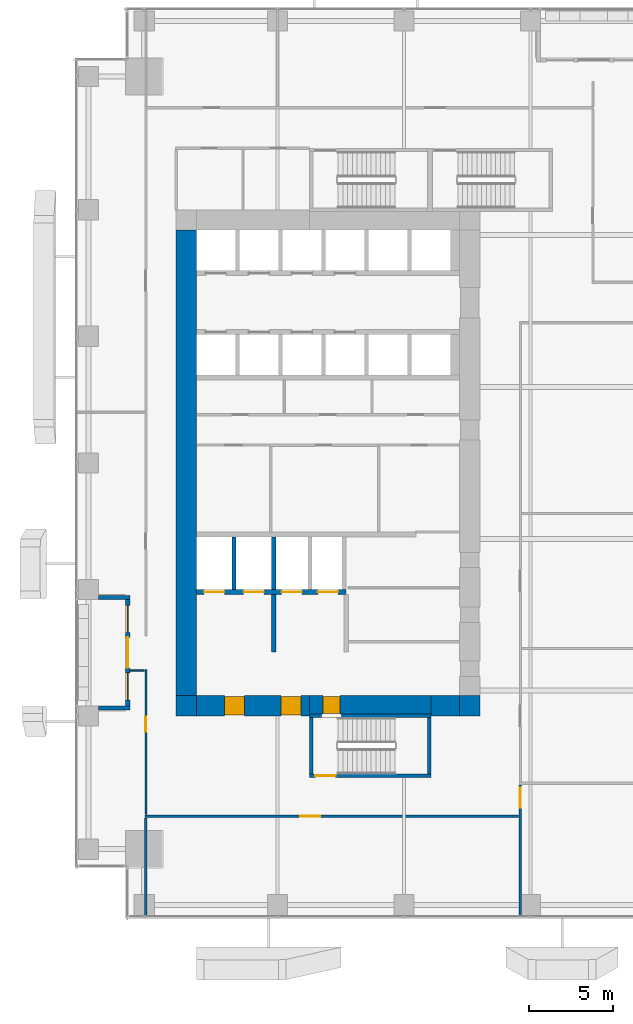
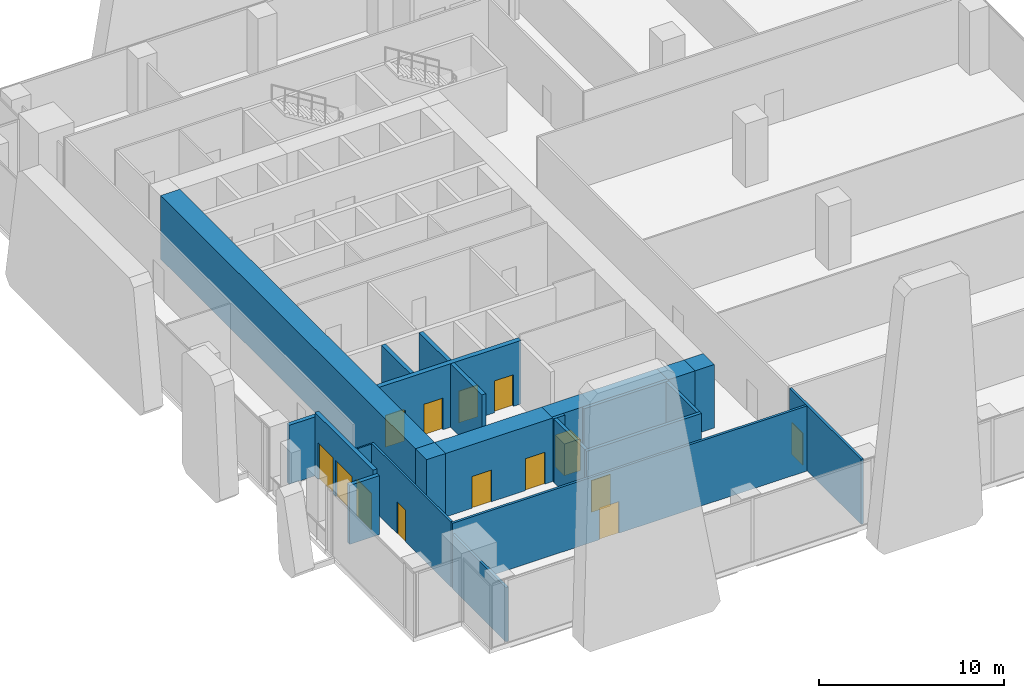
# One storey, part 27 of 34: 23 walls, 12 doors, 2 windows, 14 openings.
"""IFC4 building model written with IfcOpenShell, lengths in metres."""

import ifcopenshell
import ifcopenshell.guid

model = None  # the IFC model being written
_history = None  # IfcOwnerHistory: only IFC2X3 demands one
_inside = {}  # id of a spatial element -> (the spatial element, [elements in it])
_under = {}  # id of a project, library or spatial element -> (it, [spatial elements below it])
_declared = {}  # id of a project -> (the project, [libraries it declares])
_typed = {}  # id of a type object -> (the type object, [elements of that type])
_made_of = {}  # id of a material, layer set ... -> (it, [elements and type objects made of it])


def new_model(schema):
    """Start an empty IFC model of exactly this schema.

    Asked for "IFC4X3", IfcOpenShell would pick the latest addendum, in which some entities
    have other attributes; the version numbers below select the first issue.
    IFC2X3 requires an IfcOwnerHistory on every rooted entity: one is made here for all.
    """
    global model, _history
    if schema == "IFC4X3":
        model = ifcopenshell.file(schema_version=(4, 3, 0, 0))
    else:
        model = ifcopenshell.file(schema=schema)
    _inside.clear()
    _under.clear()
    _declared.clear()
    _typed.clear()
    _made_of.clear()
    _history = None
    if model.schema == "IFC2X3":
        org = make("IfcOrganization", Name="unknown")
        user = make(
            "IfcPersonAndOrganization",
            ThePerson=make("IfcPerson", FamilyName="unknown"),
            TheOrganization=org,
        )
        app = make(
            "IfcApplication",
            ApplicationDeveloper=org,
            Version="unknown",
            ApplicationFullName="unknown",
            ApplicationIdentifier="unknown",
        )
        _history = make(
            "IfcOwnerHistory",
            OwningUser=user,
            OwningApplication=app,
            ChangeAction="ADDED",
            CreationDate=0,
        )
    return model


def make(cls, **values):
    """One entity of the class cls with the attributes given. An attribute that is None is left unset."""
    return model.create_entity(
        cls, **{name: value for name, value in values.items() if value is not None}
    )


def rooted(cls, **values):
    """An entity with a GlobalId (a new one), such as an element, a storey or a relation."""
    return make(cls, GlobalId=ifcopenshell.guid.new(), OwnerHistory=_history, **values)


def si_unit(unit_type, name, prefix=None):
    """IfcSIUnit, for example si_unit("LENGTHUNIT", "METRE", prefix="MILLI")."""
    return make("IfcSIUnit", UnitType=unit_type, Prefix=prefix, Name=name)


def assignment(units):
    """IfcUnitAssignment: the units of a project."""
    return None if units is None else make("IfcUnitAssignment", Units=units)


def point(xyz):
    """IfcCartesianPoint."""
    return None if xyz is None else make("IfcCartesianPoint", Coordinates=xyz)


def direction(xyz):
    """IfcDirection."""
    return None if xyz is None else make("IfcDirection", DirectionRatios=xyz)


def frame(location, z_axis=None, x_axis=None):
    """IfcAxis2Placement3D, a coordinate frame: its origin and axes. An axis left out is left unset."""
    return make(
        "IfcAxis2Placement3D",
        Location=point(location),
        Axis=direction(z_axis),
        RefDirection=direction(x_axis),
    )


def frame_2d(location, x_axis=None):
    """IfcAxis2Placement2D, a coordinate frame in the plane: its origin and x axis."""
    return make(
        "IfcAxis2Placement2D", Location=point(location), RefDirection=direction(x_axis)
    )


def origin():
    """The frame at (0, 0, 0) with its axes left unset."""
    return frame((0.0, 0.0, 0.0))


def place(relative_to, where):
    """IfcLocalPlacement: puts the frame where relative to a parent placement (None: the world)."""
    return make(
        "IfcLocalPlacement", PlacementRelTo=relative_to, RelativePlacement=where
    )


def context(
    kind, dimensions, precision=None, world=None, true_north=None, identifier=None
):
    """IfcGeometricRepresentationContext, for example the 3D "Model" context."""
    return make(
        "IfcGeometricRepresentationContext",
        ContextIdentifier=identifier,
        ContextType=kind,
        CoordinateSpaceDimension=dimensions,
        Precision=precision,
        WorldCoordinateSystem=world,
        TrueNorth=true_north,
    )


def subcontext(parent, identifier, kind, view, scale=None):
    """IfcGeometricRepresentationSubContext, for example "Body" below "Model"."""
    return make(
        "IfcGeometricRepresentationSubContext",
        ContextIdentifier=identifier,
        ContextType=kind,
        ParentContext=parent,
        TargetScale=scale,
        TargetView=view,
    )


def project(units=None, contexts=None):
    """IfcProject with its units and contexts."""
    return rooted(
        "IfcProject",
        Name="project",
        RepresentationContexts=contexts,
        UnitsInContext=assignment(units),
    )


def spatial(cls, under=None, at=None, **own):
    """A site, building, storey or space (cls), placed at a placement, below another one or the project."""
    s = rooted(cls, ObjectPlacement=at, **own)
    if under is not None:
        _under.setdefault(under.id(), (under, []))[1].append(s)
    return s


def profile(cls, at=None, kind="AREA", **sizes):
    """A parametric profile (cls). Its sizes go by their IFC names, for example OverallWidth=200.0."""
    return make(cls, ProfileType=kind, Position=at, **sizes)


def rectangle(**sizes):
    """IfcRectangleProfileDef."""
    return profile("IfcRectangleProfileDef", **sizes)


def extrude(swept, where, along, depth):
    """IfcExtrudedAreaSolid: the profile swept, set in the frame where, extruded along a direction by depth."""
    return make(
        "IfcExtrudedAreaSolid",
        SweptArea=swept,
        Position=where,
        ExtrudedDirection=direction(along),
        Depth=depth,
    )


def shape(context_of_items, identifier, shape_type, items):
    """IfcShapeRepresentation: the items that make up one representation, for example the "Body"."""
    return make(
        "IfcShapeRepresentation",
        ContextOfItems=context_of_items,
        RepresentationIdentifier=identifier,
        RepresentationType=shape_type,
        Items=items,
    )


def source(mapping_origin, context_of_items, identifier, shape_type, items):
    """IfcRepresentationMap: a shape defined once, which mapped items show again and again."""
    return make(
        "IfcRepresentationMap",
        MappingOrigin=mapping_origin,
        MappedRepresentation=shape(context_of_items, identifier, shape_type, items),
    )


def transform(
    local_origin,
    x_axis=None,
    y_axis=None,
    z_axis=None,
    scale=None,
    scale2=None,
    scale3=None,
    uniform=True,
):
    """IfcCartesianTransformationOperator3D, or its non-uniform kind. x_axis, y_axis, z_axis: its Axis1, 2, 3."""
    if uniform:
        return make(
            "IfcCartesianTransformationOperator3D",
            Axis1=direction(x_axis),
            Axis2=direction(y_axis),
            LocalOrigin=point(local_origin),
            Scale=scale,
            Axis3=direction(z_axis),
        )
    return make(
        "IfcCartesianTransformationOperator3DnonUniform",
        Axis1=direction(x_axis),
        Axis2=direction(y_axis),
        LocalOrigin=point(local_origin),
        Scale=scale,
        Axis3=direction(z_axis),
        Scale2=scale2,
        Scale3=scale3,
    )


def mapped(mapping_source, mapping_target):
    """IfcMappedItem: shows the shape of a source again, moved by a transform."""
    return make(
        "IfcMappedItem", MappingSource=mapping_source, MappingTarget=mapping_target
    )


def material(Name=None, Category=None):
    """IfcMaterial."""
    return make("IfcMaterial", Name=Name, Category=Category)


def layer(
    of_material, thickness, ventilated=None, Name=None, Category=None, Priority=None
):
    """IfcMaterialLayer: one layer of a wall or slab, of a material (None: an air gap)."""
    return make(
        "IfcMaterialLayer",
        Material=of_material,
        LayerThickness=thickness,
        IsVentilated=ventilated,
        Name=Name,
        Category=Category,
        Priority=Priority,
    )


def layer_set(layers, Name=None):
    """IfcMaterialLayerSet."""
    return make("IfcMaterialLayerSet", MaterialLayers=layers, LayerSetName=Name)


def made_of(thing, what):
    """Note that an element or type object is made of a material, layer set ...; save() writes the relation."""
    if what is not None:
        _made_of.setdefault(what.id(), (what, []))[1].append(thing)
    return thing


def type_object(cls, material=None, **own):
    """A type object (cls), such as IfcWallType, which elements share."""
    return made_of(rooted(cls, **own), material)


def element(
    cls,
    number,
    at=None,
    inside=None,
    cuts=None,
    type_object=None,
    material=None,
    context=None,
    identifier="Body",
    shape_type=None,
    held_by="IfcProductDefinitionShape",
    body=None,
    shapes=None,
    **own,
):
    """One element of the class cls, such as IfcWall. Its Tag is "e" and its number.

    at: its placement. inside: the storey or other place that contains it. cuts: it is an
    opening in that element (IfcRelVoidsElement). A single representation is given by context,
    identifier, shape_type and body (its items); several are given by shapes. held_by: the class
    of the entity that holds the representations. save() writes the other relations.
    """
    e = rooted(cls, Tag="e%d" % number, ObjectPlacement=at, **own)
    if body is not None:
        shapes = [shape(context, identifier, shape_type, body)]
    if shapes is not None:
        e.Representation = make(held_by, Representations=shapes)
    if inside is not None:
        _inside.setdefault(inside.id(), (inside, []))[1].append(e)
    if cuts is not None:
        rooted(
            "IfcRelVoidsElement", RelatingBuildingElement=cuts, RelatedOpeningElement=e
        )
    if type_object is not None:
        _typed.setdefault(type_object.id(), (type_object, []))[1].append(e)
    return made_of(e, material)


def fill(opening, filler):
    """IfcRelFillsElement: the door or window that sits in an opening."""
    return rooted(
        "IfcRelFillsElement",
        RelatingOpeningElement=opening,
        RelatedBuildingElement=filler,
    )


def aggregate(whole, parts):
    """IfcRelAggregates: a whole, such as a stair, and the parts it consists of."""
    return rooted("IfcRelAggregates", RelatingObject=whole, RelatedObjects=parts)


def save(model, path):
    """Write the relations noted so far, then the file.

    IfcRelAggregates (storeys below a building ...), IfcRelContainedInSpatialStructure (elements
    in a storey), IfcRelDefinesByType, IfcRelAssociatesMaterial and IfcRelDeclares: one each for
    every whole, place, type object, material and project.
    """
    for whole, parts in _under.values():
        aggregate(whole, parts)
    for where, things in _inside.values():
        rooted(
            "IfcRelContainedInSpatialStructure",
            RelatedElements=things,
            RelatingStructure=where,
        )
    for kind, things in _typed.values():
        rooted("IfcRelDefinesByType", RelatedObjects=things, RelatingType=kind)
    for what, things in _made_of.values():
        rooted("IfcRelAssociatesMaterial", RelatedObjects=things, RelatingMaterial=what)
    for by, libraries in _declared.values():
        rooted("IfcRelDeclares", RelatingContext=by, RelatedDefinitions=libraries)
    model.write(path)


model = new_model("IFC4")

# Units and contexts
model_context = context("Model", 3, precision=1e-05, world=origin(), true_north=direction((0.0, 1.0)))
body_context = subcontext(model_context, "Body", "Model", "MODEL_VIEW")
ifc_project = project(units=[si_unit("LENGTHUNIT", "METRE"), si_unit("AREAUNIT", "SQUARE_METRE"), si_unit("VOLUMEUNIT", "CUBIC_METRE"), si_unit("PLANEANGLEUNIT", "RADIAN"), si_unit("MASSUNIT", "GRAM", prefix="KILO")], contexts=[model_context])

# Site, building, storey
site_placement = place(None, origin())
site = spatial("IfcSite", under=ifc_project, at=site_placement, CompositionType="ELEMENT")
building_placement = place(site_placement, origin())
building = spatial("IfcBuilding", under=site, at=building_placement, Name="Khomas Fold Tower", CompositionType="ELEMENT")
storey_placement = place(building_placement, frame((0.0, 0.0, 51.0)))
storey = spatial("IfcBuildingStorey", under=building, at=storey_placement, Name="L10", CompositionType="ELEMENT", Elevation=51.0)

# Wall, openings, doors
ifc_material_1 = material(Name="Concrete C70/85", Category="concrete")
ifc_layer_1 = layer(ifc_material_1, 1.199951171875)
ifc_layer_set_1 = layer_set([ifc_layer_1], Name="Concrete C70/85")
wall_type_1 = type_object("IfcWallType", Name="Core wall 1200", PredefinedType="SHEAR", material=ifc_layer_set_1)
shared_shape_1 = source(origin(), body_context, "Body", "SweptSolid", [
    extrude(rectangle(XDim=6.699951171875, YDim=1.199951171875, at=frame_2d((3.35009765625, 0.0))), origin(), (0.0, 0.0, 1.0), 4.199951171875),
])
wall_1_placement = place(storey_placement, frame((7.199951171875, 12.60009765625, 0.0), z_axis=(0.0, 0.0, 1.0), x_axis=(1.0, 0.0, 0.0)))
wall_1 = element("IfcWall", 1, at=wall_1_placement, inside=storey, type_object=wall_type_1, Name="Core wall CW-L-S-B2", PredefinedType="SHEAR", context=body_context, shape_type="MappedRepresentation", body=[
    mapped(shared_shape_1, transform((0.0, 0.0, 0.0))),
])
shared_shape_2 = source(origin(), body_context, "Body", "SweptSolid", [
    extrude(rectangle(XDim=1.199951171875, YDim=2.10009765625, at=frame_2d((0.60009765625, 1.050048828125))), frame((0.0, 0.60986328125, 0.0), z_axis=(0.0, -1.0, 0.0), x_axis=(1.0, 0.0, 0.0)), (0.0, 0.0, 1.0), 1.219970703125),
])
opening_1_placement = place(wall_1_placement, frame((5.0, 0.0, 0.0)))
opening_1 = element("IfcOpeningElement", 2, at=opening_1_placement, cuts=wall_1, Name="Opening 0009", PredefinedType="OPENING", context=body_context, shape_type="MappedRepresentation", body=[
    mapped(shared_shape_2, transform((0.0, 0.0, 0.0))),
])
opening_2_placement = place(wall_1_placement, frame((1.64990234375, 0.0, 0.0)))
opening_2 = element("IfcOpeningElement", 3, at=opening_2_placement, cuts=wall_1, Name="Opening 0009", PredefinedType="OPENING", context=body_context, shape_type="MappedRepresentation", body=[
    mapped(shared_shape_2, transform((0.0, 0.0, 0.0))),
])
ifc_material_2 = material(Name="Steel door leaf", Category="steel")
door_type_1 = type_object("IfcDoorType", Name="Lobby door 1200x2100 right-hand", OperationType="SINGLE_SWING_RIGHT", PredefinedType="DOOR", material=ifc_material_2)
shared_shape_3 = source(origin(), body_context, "Body", "SweptSolid", [
    extrude(rectangle(XDim=1.199951171875, YDim=2.10009765625, at=frame_2d((0.60009765625, 1.050048828125))), frame((0.0, 0.5498046875, 0.0), z_axis=(0.0, -1.0, 0.0), x_axis=(1.0, 0.0, 0.0)), (0.0, 0.0, 1.0), 1.099853515625),
])
door_1_placement = place(opening_1_placement, origin())
door_1 = element("IfcDoor", 4, at=door_1_placement, inside=storey, type_object=door_type_1, Name="Lobby door", OperationType="SINGLE_SWING_RIGHT", OverallHeight=2.10009765625, OverallWidth=1.199951171875, PredefinedType="DOOR", context=body_context, shape_type="MappedRepresentation", body=[
    mapped(shared_shape_3, transform((0.0, 0.0, 0.0))),
])
fill(opening_1, door_1)
door_2_placement = place(opening_2_placement, origin())
door_2 = element("IfcDoor", 5, at=door_2_placement, inside=storey, type_object=door_type_1, Name="Lobby door", OperationType="SINGLE_SWING_RIGHT", OverallHeight=2.10009765625, OverallWidth=1.199951171875, PredefinedType="DOOR", context=body_context, shape_type="MappedRepresentation", body=[
    mapped(shared_shape_3, transform((0.0, 0.0, 0.0))),
])
fill(opening_2, door_2)

# Walls
ifc_material_3 = material(Name="Concrete C70/85", Category="concrete")
ifc_layer_2 = layer(ifc_material_3, 1.199951171875)
ifc_layer_set_2 = layer_set([ifc_layer_2], Name="Concrete C70/85")
wall_type_2 = type_object("IfcWallType", Name="Core corner wall 1200", PredefinedType="SHEAR", material=ifc_layer_set_2)
shared_shape_4 = source(origin(), body_context, "Body", "SweptSolid", [
    extrude(rectangle(XDim=1.199951171875, YDim=1.199951171875, at=frame_2d((0.60009765625, 0.0))), origin(), (0.0, 0.0, 1.0), 4.199951171875),
])
for number, where, z_axis, x_axis, name in (
    (6, (22.800048828125, 12.60009765625, 0.0), (0.0, 0.0, 1.0), (1.0, 0.0, 0.0), "Core wall CW-L-SE-B2"),
    (7, (6.0, 12.60009765625, 0.0), (0.0, 0.0, 1.0), (1.0, 0.0, 0.0), "Core wall CW-L-SW-B2"),
):
    element("IfcWall", number, at=place(storey_placement, frame(where, z_axis=z_axis, x_axis=x_axis)), inside=storey, type_object=wall_type_2, Name=name, PredefinedType="SHEAR", context=body_context, shape_type="MappedRepresentation", body=[
        mapped(shared_shape_4, transform((0.0, 0.0, 0.0))),
    ])

# Wall, opening, door
ifc_material_4 = material(Name="Concrete C70/85", Category="concrete")
ifc_layer_3 = layer(ifc_material_4, 1.10009765625)
ifc_layer_set_3 = layer_set([ifc_layer_3], Name="Concrete C70/85")
wall_type_3 = type_object("IfcWallType", Name="Core wall 1100", PredefinedType="SHEAR", material=ifc_layer_set_3)
shared_shape_5 = source(origin(), body_context, "Body", "SweptSolid", [
    extrude(rectangle(XDim=7.2001953125, YDim=1.10009765625, at=frame_2d((3.60009765625, 0.0))), origin(), (0.0, 0.0, 1.0), 4.199951171875),
])
wall_2_placement = place(storey_placement, frame((13.89990234375, 12.64990234375, 0.0), z_axis=(0.0, 0.0, 1.0), x_axis=(1.0, 0.0, 0.0)))
wall_2 = element("IfcWall", 8, at=wall_2_placement, inside=storey, type_object=wall_type_3, Name="Core wall CW-L-S-B2-1", PredefinedType="SHEAR", context=body_context, shape_type="MappedRepresentation", body=[
    mapped(shared_shape_5, transform((0.0, 0.0, 0.0))),
])
shared_shape_6 = source(origin(), body_context, "Body", "SweptSolid", [
    extrude(rectangle(XDim=1.0, YDim=2.10009765625, at=frame_2d((0.5, 1.050048828125))), frame((0.0, 0.56005859375, 0.0), z_axis=(0.0, -1.0, 0.0), x_axis=(1.0, 0.0, 0.0)), (0.0, 0.0, 1.0), 1.1201171875),
])
opening_3_placement = place(wall_2_placement, frame((0.800048828125, 0.0, 0.0)))
opening_3 = element("IfcOpeningElement", 9, at=opening_3_placement, cuts=wall_2, Name="Opening 0010", PredefinedType="OPENING", context=body_context, shape_type="MappedRepresentation", body=[
    mapped(shared_shape_6, transform((0.0, 0.0, 0.0))),
])
ifc_material_5 = material(Name="Steel door leaf", Category="steel")
door_type_2 = type_object("IfcDoorType", Name="Stair door 1000x2100 right-hand", OperationType="SINGLE_SWING_RIGHT", PredefinedType="DOOR", material=ifc_material_5)
shared_shape_7 = source(origin(), body_context, "Body", "SweptSolid", [
    extrude(rectangle(XDim=1.0, YDim=2.10009765625, at=frame_2d((0.5, 1.050048828125))), frame((0.0, 0.5, 0.0), z_axis=(0.0, -1.0, 0.0), x_axis=(1.0, 0.0, 0.0)), (0.0, 0.0, 1.0), 1.0),
])
door_3_placement = place(opening_3_placement, origin())
door_3 = element("IfcDoor", 10, at=door_3_placement, inside=storey, type_object=door_type_2, Name="Stair door", OperationType="SINGLE_SWING_RIGHT", OverallHeight=2.10009765625, OverallWidth=1.0, PredefinedType="DOOR", context=body_context, shape_type="MappedRepresentation", body=[
    mapped(shared_shape_7, transform((0.0, 0.0, 0.0))),
])
fill(opening_3, door_3)

# Walls
shared_shape_8 = source(origin(), body_context, "Body", "SweptSolid", [
    extrude(rectangle(XDim=1.699951171875, YDim=1.199951171875, at=frame_2d((0.85009765625, 0.0))), origin(), (0.0, 0.0, 1.0), 4.199951171875),
])
wall_3_placement = place(storey_placement, frame((21.10009765625, 12.60009765625, 0.0), z_axis=(0.0, 0.0, 1.0), x_axis=(1.0, 0.0, 0.0)))
element("IfcWall", 11, at=wall_3_placement, inside=storey, type_object=wall_type_1, Name="Core wall CW-L-S-B2-2", PredefinedType="SHEAR", context=body_context, shape_type="MappedRepresentation", body=[
    mapped(shared_shape_8, transform((0.0, 0.0, 0.0))),
])
shared_shape_9 = source(origin(), body_context, "Body", "SweptSolid", [
    extrude(rectangle(XDim=27.60009765625, YDim=1.199951171875, at=frame_2d((13.800048828125, 0.0))), origin(), (0.0, 0.0, 1.0), 4.199951171875),
])
wall_4_placement = place(storey_placement, frame((6.60009765625, 13.199951171875, 0.0), z_axis=(0.0, 0.0, 1.0), x_axis=(0.0, 1.0, 0.0)))
element("IfcWall", 12, at=wall_4_placement, inside=storey, type_object=wall_type_1, Name="Core wall CW-L-W-B2", PredefinedType="SHEAR", context=body_context, shape_type="MappedRepresentation", body=[
    mapped(shared_shape_9, transform((0.0, 0.0, 0.0))),
])
ifc_material_6 = material(Name="Concrete C50/60", Category="concrete")
ifc_layer_4 = layer(ifc_material_6, 0.199951171875)
ifc_layer_set_4 = layer_set([ifc_layer_4], Name="Concrete C50/60")
wall_type_4 = type_object("IfcWallType", Name="Stair wall 200", PredefinedType="SHEAR", material=ifc_layer_set_4)
shared_shape_10 = source(origin(), body_context, "Body", "SweptSolid", [
    extrude(rectangle(XDim=0.7001953125, YDim=0.199951171875, at=frame_2d((0.35009765625, 0.0))), origin(), (0.0, 0.0, 1.0), 4.199951171875),
])
wall_5_placement = place(storey_placement, frame((13.89990234375, 12.0, 0.0), z_axis=(0.0, 0.0, 1.0), x_axis=(1.0, 0.0, 0.0)))
element("IfcWall", 13, at=wall_5_placement, inside=storey, type_object=wall_type_4, Name="Stair wall SW-ST2-N", PredefinedType="SHEAR", context=body_context, shape_type="MappedRepresentation", body=[
    mapped(shared_shape_10, transform((0.0, 0.0, 0.0))),
])
shared_shape_11 = source(origin(), body_context, "Body", "SweptSolid", [
    extrude(rectangle(XDim=5.300048828125, YDim=0.199951171875, at=frame_2d((2.64990234375, 0.0))), origin(), (0.0, 0.0, 1.0), 4.199951171875),
])
wall_6_placement = place(storey_placement, frame((15.800048828125, 12.0, 0.0), z_axis=(0.0, 0.0, 1.0), x_axis=(1.0, 0.0, 0.0)))
element("IfcWall", 14, at=wall_6_placement, inside=storey, type_object=wall_type_4, Name="Stair wall SW-ST2-NB", PredefinedType="SHEAR", context=body_context, shape_type="MappedRepresentation", body=[
    mapped(shared_shape_11, transform((0.0, 0.0, 0.0))),
])

# Wall, opening, door
shared_shape_12 = source(origin(), body_context, "Body", "SweptSolid", [
    extrude(rectangle(XDim=7.2001953125, YDim=0.199951171875, at=frame_2d((3.60009765625, 0.0))), origin(), (0.0, 0.0, 1.0), 4.199951171875),
])
wall_7_placement = place(storey_placement, frame((13.89990234375, 8.449951171875, 0.0), z_axis=(0.0, 0.0, 1.0), x_axis=(1.0, 0.0, 0.0)))
wall_7 = element("IfcWall", 15, at=wall_7_placement, inside=storey, type_object=wall_type_4, Name="Stair wall SW-ST2-S", PredefinedType="SHEAR", context=body_context, shape_type="MappedRepresentation", body=[
    mapped(shared_shape_12, transform((0.0, 0.0, 0.0))),
])
shared_shape_13 = source(origin(), body_context, "Body", "SweptSolid", [
    extrude(rectangle(XDim=1.199951171875, YDim=2.10009765625, at=frame_2d((0.60009765625, 1.050048828125))), frame((0.0, 0.10986328125, 0.0), z_axis=(0.0, -1.0, 0.0), x_axis=(1.0, 0.0, 0.0)), (0.0, 0.0, 1.0), 0.219970703125),
])
opening_4_placement = place(wall_7_placement, frame((0.35009765625, 0.0, 0.0)))
opening_4 = element("IfcOpeningElement", 16, at=opening_4_placement, cuts=wall_7, Name="Opening SD-ST2", PredefinedType="OPENING", context=body_context, shape_type="MappedRepresentation", body=[
    mapped(shared_shape_13, transform((0.0, 0.0, 0.0))),
])
ifc_material_7 = material(Name="Steel door leaf", Category="steel")
door_type_3 = type_object("IfcDoorType", Name="Stair door 1200x2100 right-hand", OperationType="SINGLE_SWING_RIGHT", PredefinedType="DOOR", material=ifc_material_7)
shared_shape_14 = source(origin(), body_context, "Body", "SweptSolid", [
    extrude(rectangle(XDim=1.199951171875, YDim=2.10009765625, at=frame_2d((0.60009765625, 1.050048828125))), frame((0.0, 0.02490234375, 0.0), z_axis=(0.0, -1.0, 0.0), x_axis=(1.0, 0.0, 0.0)), (0.0, 0.0, 1.0), 0.050048828125),
])
door_4_placement = place(opening_4_placement, origin())
door_4 = element("IfcDoor", 17, at=door_4_placement, inside=storey, type_object=door_type_3, Name="Stair door", OperationType="SINGLE_SWING_RIGHT", OverallHeight=2.10009765625, OverallWidth=1.199951171875, PredefinedType="DOOR", context=body_context, shape_type="MappedRepresentation", body=[
    mapped(shared_shape_14, transform((0.0, 0.0, 0.0))),
])
fill(opening_4, door_4)

# Walls
shared_shape_15 = source(origin(), body_context, "Body", "SweptSolid", [
    extrude(rectangle(XDim=3.349853515625, YDim=0.199951171875, at=frame_2d((1.6748046875, 0.0))), origin(), (0.0, 0.0, 1.0), 4.199951171875),
])
for number, where, z_axis, x_axis, name in (
    (18, (21.0, 8.550048828125, 0.0), (0.0, 0.0, 1.0), (0.0, 1.0, 0.0), "Stair wall SW-ST2-E"),
    (19, (14.0, 8.550048828125, 0.0), (0.0, 0.0, 1.0), (0.0, 1.0, 0.0), "Stair wall SW-ST2-W"),
):
    element("IfcWall", number, at=place(storey_placement, frame(where, z_axis=z_axis, x_axis=x_axis)), inside=storey, type_object=wall_type_4, Name=name, PredefinedType="SHEAR", context=body_context, shape_type="MappedRepresentation", body=[
        mapped(shared_shape_15, transform((0.0, 0.0, 0.0))),
    ])

# Wall, openings, doors
ifc_material_8 = material(Name="Concrete C50/60", Category="concrete")
ifc_layer_5 = layer(ifc_material_8, 0.300048828125)
ifc_layer_set_5 = layer_set([ifc_layer_5], Name="Concrete C50/60")
wall_type_5 = type_object("IfcWallType", Name="Shaft wall 300", PredefinedType="STANDARD", material=ifc_layer_set_5)
shared_shape_16 = source(origin(), body_context, "Body", "SweptSolid", [
    extrude(rectangle(XDim=8.875, YDim=0.300048828125, at=frame_2d((4.4375, 0.0))), origin(), (0.0, 0.0, 1.0), 4.199951171875),
])
wall_8_placement = place(storey_placement, frame((7.199951171875, 19.35009765625, 0.0), z_axis=(0.0, 0.0, 1.0), x_axis=(1.0, 0.0, 0.0)))
wall_8 = element("IfcWall", 20, at=wall_8_placement, inside=storey, type_object=wall_type_5, Name="Core wall SW-FS-F", PredefinedType="STANDARD", context=body_context, shape_type="MappedRepresentation", body=[
    mapped(shared_shape_16, transform((0.0, 0.0, 0.0))),
])
shared_shape_17 = source(origin(), body_context, "Body", "SweptSolid", [
    extrude(rectangle(XDim=1.199951171875, YDim=2.10009765625, at=frame_2d((0.60009765625, 1.050048828125))), frame((0.0, 0.159912109375, 0.0), z_axis=(0.0, -1.0, 0.0), x_axis=(1.0, 0.0, 0.0)), (0.0, 0.0, 1.0), 0.320068359375),
])
opening_5_placement = place(wall_8_placement, frame((0.449951171875, 0.0, 0.0)))
opening_5 = element("IfcOpeningElement", 21, at=opening_5_placement, cuts=wall_8, Name="Opening LD-SV1", PredefinedType="OPENING", context=body_context, shape_type="MappedRepresentation", body=[
    mapped(shared_shape_17, transform((0.0, 0.0, 0.0))),
])
opening_6_placement = place(wall_8_placement, frame((2.800048828125, 0.0, 0.0)))
opening_6 = element("IfcOpeningElement", 22, at=opening_6_placement, cuts=wall_8, Name="Opening LD-SV2", PredefinedType="OPENING", context=body_context, shape_type="MappedRepresentation", body=[
    mapped(shared_shape_17, transform((0.0, 0.0, 0.0))),
])
opening_7_placement = place(wall_8_placement, frame((5.050048828125, 0.0, 0.0)))
opening_7 = element("IfcOpeningElement", 23, at=opening_7_placement, cuts=wall_8, Name="Opening LD-FF1", PredefinedType="OPENING", context=body_context, shape_type="MappedRepresentation", body=[
    mapped(shared_shape_17, transform((0.0, 0.0, 0.0))),
])
opening_8_placement = place(wall_8_placement, frame((7.199951171875, 0.0, 0.0)))
opening_8 = element("IfcOpeningElement", 24, at=opening_8_placement, cuts=wall_8, Name="Opening LD-FF2", PredefinedType="OPENING", context=body_context, shape_type="MappedRepresentation", body=[
    mapped(shared_shape_17, transform((0.0, 0.0, 0.0))),
])
ifc_material_9 = material(Name="Steel door leaf", Category="steel")
door_type_4 = type_object("IfcDoorType", Name="Landing door 1200x2100", OperationType="DOUBLE_DOOR_SLIDING", PredefinedType="DOOR", material=ifc_material_9)
door_5_placement = place(opening_5_placement, origin())
door_5 = element("IfcDoor", 25, at=door_5_placement, inside=storey, type_object=door_type_4, Name="Lift landing door", OperationType="DOUBLE_DOOR_SLIDING", OverallHeight=2.10009765625, OverallWidth=1.199951171875, PredefinedType="DOOR", context=body_context, shape_type="MappedRepresentation", body=[
    mapped(shared_shape_14, transform((0.0, 0.0, 0.0))),
])
fill(opening_5, door_5)
door_6_placement = place(opening_6_placement, origin())
door_6 = element("IfcDoor", 26, at=door_6_placement, inside=storey, type_object=door_type_4, Name="Lift landing door", OperationType="DOUBLE_DOOR_SLIDING", OverallHeight=2.10009765625, OverallWidth=1.199951171875, PredefinedType="DOOR", context=body_context, shape_type="MappedRepresentation", body=[
    mapped(shared_shape_14, transform((0.0, 0.0, 0.0))),
])
fill(opening_6, door_6)
door_7_placement = place(opening_7_placement, origin())
door_7 = element("IfcDoor", 27, at=door_7_placement, inside=storey, type_object=door_type_4, Name="Lift landing door", OperationType="DOUBLE_DOOR_SLIDING", OverallHeight=2.10009765625, OverallWidth=1.199951171875, PredefinedType="DOOR", context=body_context, shape_type="MappedRepresentation", body=[
    mapped(shared_shape_14, transform((0.0, 0.0, 0.0))),
])
fill(opening_7, door_7)
door_8_placement = place(opening_8_placement, origin())
door_8 = element("IfcDoor", 28, at=door_8_placement, inside=storey, type_object=door_type_4, Name="Lift landing door", OperationType="DOUBLE_DOOR_SLIDING", OverallHeight=2.10009765625, OverallWidth=1.199951171875, PredefinedType="DOOR", context=body_context, shape_type="MappedRepresentation", body=[
    mapped(shared_shape_14, transform((0.0, 0.0, 0.0))),
])
fill(opening_8, door_8)

# Walls
ifc_material_10 = material(Name="Concrete C50/60", Category="concrete")
ifc_layer_6 = layer(ifc_material_10, 0.25)
ifc_layer_set_6 = layer_set([ifc_layer_6], Name="Concrete C50/60")
wall_type_6 = type_object("IfcWallType", Name="Shaft wall 250", PredefinedType="STANDARD", material=ifc_layer_set_6)
shared_shape_18 = source(origin(), body_context, "Body", "SweptSolid", [
    extrude(rectangle(XDim=3.10009765625, YDim=0.25, at=frame_2d((1.550048828125, 0.0))), origin(), (0.0, 0.0, 1.0), 4.199951171875),
])
for number, where, z_axis, x_axis, name in (
    (29, (9.425048828125, 19.5, 0.0), (0.0, 0.0, 1.0), (0.0, 1.0, 0.0), "Core wall SW-FS-P1"),
    (30, (11.77490234375, 19.5, 0.0), (0.0, 0.0, 1.0), (0.0, 1.0, 0.0), "Core wall SW-FS-P2"),
):
    element("IfcWall", number, at=place(storey_placement, frame(where, z_axis=z_axis, x_axis=x_axis)), inside=storey, type_object=wall_type_6, Name=name, PredefinedType="STANDARD", context=body_context, shape_type="MappedRepresentation", body=[
        mapped(shared_shape_18, transform((0.0, 0.0, 0.0))),
    ])
ifc_material_11 = material(Name="Concrete C50/60", Category="concrete")
ifc_layer_7 = layer(ifc_material_11, 0.25)
ifc_layer_set_7 = layer_set([ifc_layer_7], Name="Concrete C50/60")
wall_type_7 = type_object("IfcWallType", Name="Lobby wall 250", PredefinedType="STANDARD", material=ifc_layer_set_7)
shared_shape_19 = source(origin(), body_context, "Body", "SweptSolid", [
    extrude(rectangle(XDim=3.39990234375, YDim=0.25, at=frame_2d((1.699951171875, 0.0))), origin(), (0.0, 0.0, 1.0), 4.199951171875),
])
wall_9_placement = place(storey_placement, frame((11.77490234375, 15.800048828125, 0.0), z_axis=(0.0, 0.0, 1.0), x_axis=(0.0, 1.0, 0.0)))
element("IfcWall", 31, at=wall_9_placement, inside=storey, type_object=wall_type_7, Name="Core wall SW-FS-SEP", PredefinedType="STANDARD", context=body_context, shape_type="MappedRepresentation", body=[
    mapped(shared_shape_19, transform((0.0, 0.0, 0.0))),
])
ifc_material_12 = material(Name="Natural stone", Category="masonry")
ifc_layer_8 = layer(ifc_material_12, 0.0400390625)
ifc_material_13 = material(Name="Mineral wool insulation", Category="insulation")
ifc_layer_9 = layer(ifc_material_13, 0.10009765625)
ifc_material_14 = material(Name="Masonry", Category="masonry")
ifc_layer_10 = layer(ifc_material_14, 0.110107421875)
ifc_layer_set_8 = layer_set([ifc_layer_8, ifc_layer_9, ifc_layer_10], Name="Stone-faced insulated masonry")
wall_type_8 = type_object("IfcWallType", Name="BL-Balcony wall", PredefinedType="SOLIDWALL", material=ifc_layer_set_8)
shared_shape_20 = source(origin(), body_context, "Body", "SweptSolid", [
    extrude(rectangle(XDim=1.85009765625, YDim=0.25, at=frame_2d((0.925048828125, 0.0))), origin(), (0.0, 0.0, 1.0), 3.89990234375),
])
for number, where, z_axis, x_axis, name in (
    (32, (1.39990234375, 12.47509765625, 0.0), (0.0, 0.0, 1.0), (1.0, 0.0, 0.0), "Balcony return wall BAL-L10-W1-lo"),
    (33, (1.39990234375, 19.02490234375, 0.0), (0.0, 0.0, 1.0), (1.0, 0.0, 0.0), "Balcony return wall BAL-L10-W1-hi"),
):
    element("IfcWall", number, at=place(storey_placement, frame(where, z_axis=z_axis, x_axis=x_axis)), inside=storey, type_object=wall_type_8, Name=name, PredefinedType="SOLIDWALL", context=body_context, shape_type="MappedRepresentation", body=[
        mapped(shared_shape_20, transform((0.0, 0.0, 0.0))),
    ])

# Wall, openings, windows, door
shared_shape_21 = source(origin(), body_context, "Body", "SweptSolid", [
    extrude(rectangle(XDim=6.2998046875, YDim=0.25, at=frame_2d((3.14990234375, 0.0))), origin(), (0.0, 0.0, 1.0), 4.199951171875),
])
wall_10_placement = place(storey_placement, frame((3.125, 12.60009765625, 0.0), z_axis=(0.0, 0.0, 1.0), x_axis=(0.0, 1.0, 0.0)))
wall_10 = element("IfcWall", 34, at=wall_10_placement, inside=storey, type_object=wall_type_8, Name="Balcony wall BAL-L10-W1", PredefinedType="SOLIDWALL", context=body_context, shape_type="MappedRepresentation", body=[
    mapped(shared_shape_21, transform((0.0, 0.0, 0.0))),
])
shared_shape_22 = source(origin(), body_context, "Body", "SweptSolid", [
    extrude(rectangle(XDim=1.60009765625, YDim=2.39990234375, at=frame_2d((0.800048828125, 1.199951171875))), frame((0.0, 0.135009765625, 0.0), z_axis=(0.0, -1.0, 0.0), x_axis=(1.0, 0.0, 0.0)), (0.0, 0.0, 1.0), 0.27001953125),
])
opening_9_placement = place(wall_10_placement, frame((0.35009765625, 0.0, 0.0)))
opening_9 = element("IfcOpeningElement", 35, at=opening_9_placement, cuts=wall_10, Name="Opening BL-W1", PredefinedType="OPENING", context=body_context, shape_type="MappedRepresentation", body=[
    mapped(shared_shape_22, transform((0.0, 0.0, 0.0))),
])
opening_10_placement = place(wall_10_placement, frame((4.35009765625, 0.0, 0.0)))
opening_10 = element("IfcOpeningElement", 36, at=opening_10_placement, cuts=wall_10, Name="Opening BL-W1", PredefinedType="OPENING", context=body_context, shape_type="MappedRepresentation", body=[
    mapped(shared_shape_22, transform((0.0, 0.0, 0.0))),
])
shared_shape_23 = source(origin(), body_context, "Body", "SweptSolid", [
    extrude(rectangle(XDim=1.800048828125, YDim=2.39990234375, at=frame_2d((0.89990234375, 1.199951171875))), frame((0.0, 0.135009765625, 0.0), z_axis=(0.0, -1.0, 0.0), x_axis=(1.0, 0.0, 0.0)), (0.0, 0.0, 1.0), 0.27001953125),
])
opening_11_placement = place(wall_10_placement, frame((2.25, 0.0, 0.0)))
opening_11 = element("IfcOpeningElement", 37, at=opening_11_placement, cuts=wall_10, Name="Opening BD102", PredefinedType="OPENING", context=body_context, shape_type="MappedRepresentation", body=[
    mapped(shared_shape_23, transform((0.0, 0.0, 0.0))),
])
ifc_material_15 = material(Name="Aluminium framed double glazing", Category="aluminium")
window_type = type_object("IfcWindowType", Name="BL-Fixed glazing 1600 x 2400", PartitioningType="SINGLE_PANEL", PredefinedType="WINDOW", material=ifc_material_15)
shared_shape_24 = source(origin(), body_context, "Body", "SweptSolid", [
    extrude(rectangle(XDim=1.60009765625, YDim=2.39990234375, at=frame_2d((0.800048828125, 1.199951171875))), frame((0.0, 0.030029296875, 0.0), z_axis=(0.0, -1.0, 0.0), x_axis=(1.0, 0.0, 0.0)), (0.0, 0.0, 1.0), 0.06005859375),
])
window_1_placement = place(opening_9_placement, origin())
window_1 = element("IfcWindow", 38, at=window_1_placement, inside=storey, type_object=window_type, Name="Balcony glazing BAL-L10-W1-1", OverallHeight=2.39990234375, OverallWidth=1.60009765625, PartitioningType="SINGLE_PANEL", PredefinedType="WINDOW", context=body_context, shape_type="MappedRepresentation", body=[
    mapped(shared_shape_24, transform((0.0, 0.0, 0.0))),
])
fill(opening_9, window_1)
window_2_placement = place(opening_10_placement, origin())
window_2 = element("IfcWindow", 39, at=window_2_placement, inside=storey, type_object=window_type, Name="Balcony glazing BAL-L10-W1-2", OverallHeight=2.39990234375, OverallWidth=1.60009765625, PartitioningType="SINGLE_PANEL", PredefinedType="WINDOW", context=body_context, shape_type="MappedRepresentation", body=[
    mapped(shared_shape_24, transform((0.0, 0.0, 0.0))),
])
fill(opening_10, window_2)
ifc_material_16 = material(Name="Aluminium framed double glazing", Category="aluminium")
door_type_5 = type_object("IfcDoorType", Name="BL-Glazed balcony door 1800 x 2400", OperationType="DOUBLE_DOOR_DOUBLE_SWING", PredefinedType="DOOR", material=ifc_material_16)
shared_shape_25 = source(origin(), body_context, "Body", "SweptSolid", [
    extrude(rectangle(XDim=1.800048828125, YDim=2.39990234375, at=frame_2d((0.89990234375, 1.199951171875))), frame((0.0, 0.02490234375, 0.0), z_axis=(0.0, -1.0, 0.0), x_axis=(1.0, 0.0, 0.0)), (0.0, 0.0, 1.0), 0.050048828125),
])
door_9_placement = place(opening_11_placement, origin())
door_9 = element("IfcDoor", 40, at=door_9_placement, inside=storey, type_object=door_type_5, Name="Balcony door BD102", OperationType="DOUBLE_DOOR_DOUBLE_SWING", OverallHeight=2.39990234375, OverallWidth=1.800048828125, PredefinedType="DOOR", context=body_context, shape_type="MappedRepresentation", body=[
    mapped(shared_shape_25, transform((0.0, 0.0, 0.0))),
])
fill(opening_11, door_9)

# Wall, opening, door
ifc_material_17 = material(Name="Plasterboard fire partition")
ifc_layer_11 = layer(ifc_material_17, 0.14990234375)
ifc_layer_set_9 = layer_set([ifc_layer_11], Name="Plasterboard fire partition")
wall_type_9 = type_object("IfcWallType", Name="Plant room wall PW3 150", PredefinedType="PARTITIONING", material=ifc_layer_set_9)
shared_shape_26 = source(origin(), body_context, "Body", "SweptSolid", [
    extrude(rectangle(XDim=7.75, YDim=0.14990234375, at=frame_2d((3.875, 0.0))), origin(), (0.0, 0.0, 1.0), 4.300048828125),
])
wall_11_placement = place(storey_placement, frame((26.39990234375, 0.14990234375, 0.0), z_axis=(0.0, 0.0, 1.0), x_axis=(0.0, 1.0, 0.0)))
wall_11 = element("IfcWall", 41, at=wall_11_placement, inside=storey, type_object=wall_type_9, Name="Plant room wall", PredefinedType="PARTITIONING", context=body_context, shape_type="MappedRepresentation", body=[
    mapped(shared_shape_26, transform((0.0, 0.0, 0.0))),
])
shared_shape_27 = source(origin(), body_context, "Body", "SweptSolid", [
    extrude(rectangle(XDim=1.199951171875, YDim=2.10009765625, at=frame_2d((0.60009765625, 1.050048828125))), frame((0.0, 0.0849609375, 0.0), z_axis=(0.0, -1.0, 0.0), x_axis=(1.0, 0.0, 0.0)), (0.0, 0.0, 1.0), 0.169921875),
])
opening_12_placement = place(wall_11_placement, frame((6.39990234375, 0.0, 0.0)))
opening_12 = element("IfcOpeningElement", 42, at=opening_12_placement, cuts=wall_11, Name="Opening 0011", PredefinedType="OPENING", context=body_context, shape_type="MappedRepresentation", body=[
    mapped(shared_shape_27, transform((0.0, 0.0, 0.0))),
])
ifc_material_18 = material(Name="Steel door leaf", Category="steel")
door_type_6 = type_object("IfcDoorType", Name="Plant room door 1200x2100 right-hand", OperationType="SINGLE_SWING_RIGHT", PredefinedType="DOOR", material=ifc_material_18)
door_10_placement = place(opening_12_placement, origin())
door_10 = element("IfcDoor", 43, at=door_10_placement, inside=storey, type_object=door_type_6, Name="Plant room door", OperationType="SINGLE_SWING_RIGHT", OverallHeight=2.10009765625, OverallWidth=1.199951171875, PredefinedType="DOOR", context=body_context, shape_type="MappedRepresentation", body=[
    mapped(shared_shape_14, transform((0.0, 0.0, 0.0))),
])
fill(opening_12, door_10)

# Wall
shared_shape_28 = source(origin(), body_context, "Body", "SweptSolid", [
    extrude(rectangle(XDim=5.800048828125, YDim=0.14990234375, at=frame_2d((2.89990234375, 0.0))), origin(), (0.0, 0.0, 1.0), 3.60009765625),
])
wall_12_placement = place(storey_placement, frame((4.199951171875, 0.14990234375, 0.0), z_axis=(0.0, 0.0, 1.0), x_axis=(0.0, 1.0, 0.0)))
element("IfcWall", 44, at=wall_12_placement, inside=storey, type_object=wall_type_9, Name="Plant room wall", PredefinedType="PARTITIONING", context=body_context, shape_type="MappedRepresentation", body=[
    mapped(shared_shape_28, transform((0.0, 0.0, 0.0))),
])

# Wall, opening, door
shared_shape_29 = source(origin(), body_context, "Body", "SweptSolid", [
    extrude(rectangle(XDim=22.150146484375, YDim=0.14990234375, at=frame_2d((11.0751953125, 0.0))), origin(), (0.0, 0.0, 1.0), 4.300048828125),
])
wall_13_placement = place(storey_placement, frame((4.14990234375, 6.050048828125, 0.0), z_axis=(0.0, 0.0, 1.0), x_axis=(1.0, 0.0, 0.0)))
wall_13 = element("IfcWall", 45, at=wall_13_placement, inside=storey, type_object=wall_type_9, Name="Plant room wall", PredefinedType="PARTITIONING", context=body_context, shape_type="MappedRepresentation", body=[
    mapped(shared_shape_29, transform((0.0, 0.0, 0.0))),
])
opening_13_placement = place(wall_13_placement, frame((9.199951171875, 0.0, 0.0)))
opening_13 = element("IfcOpeningElement", 46, at=opening_13_placement, cuts=wall_13, Name="Opening 0012", PredefinedType="OPENING", context=body_context, shape_type="MappedRepresentation", body=[
    mapped(shared_shape_27, transform((0.0, 0.0, 0.0))),
])
ifc_material_19 = material(Name="Steel door leaf", Category="steel")
door_type_7 = type_object("IfcDoorType", Name="Plant room door 1200x2100 left-hand", OperationType="SINGLE_SWING_LEFT", PredefinedType="DOOR", material=ifc_material_19)
door_11_placement = place(opening_13_placement, origin())
door_11 = element("IfcDoor", 47, at=door_11_placement, inside=storey, type_object=door_type_7, Name="Plant room door", OperationType="SINGLE_SWING_LEFT", OverallHeight=2.10009765625, OverallWidth=1.199951171875, PredefinedType="DOOR", context=body_context, shape_type="MappedRepresentation", body=[
    mapped(shared_shape_14, transform((0.0, 0.0, 0.0))),
])
fill(opening_13, door_11)

# Wall
ifc_material_20 = material(Name="Plasterboard partition")
ifc_layer_12 = layer(ifc_material_20, 0.10009765625)
ifc_layer_set_10 = layer_set([ifc_layer_12], Name="Plasterboard partition")
wall_type_10 = type_object("IfcWallType", Name="Partition PW1 100", PredefinedType="PARTITIONING", material=ifc_layer_set_10)
shared_shape_30 = source(origin(), body_context, "Body", "SweptSolid", [
    extrude(rectangle(XDim=0.85009765625, YDim=0.10009765625, at=frame_2d((0.425048828125, 0.0))), origin(), (0.0, 0.0, 1.0), 4.300048828125),
])
wall_14_placement = place(storey_placement, frame((3.25, 14.699951171875, 0.0), z_axis=(0.0, 0.0, 1.0), x_axis=(1.0, 0.0, 0.0)))
element("IfcWall", 48, at=wall_14_placement, inside=storey, type_object=wall_type_10, Name="Partition", PredefinedType="PARTITIONING", context=body_context, shape_type="MappedRepresentation", body=[
    mapped(shared_shape_30, transform((0.0, 0.0, 0.0))),
])

# Wall, opening, door
ifc_material_21 = material(Name="Plasterboard partition")
ifc_layer_13 = layer(ifc_material_21, 0.125)
ifc_layer_set_11 = layer_set([ifc_layer_13], Name="Plasterboard partition")
wall_type_11 = type_object("IfcWallType", Name="Partition PW2 125", PredefinedType="PARTITIONING", material=ifc_layer_set_11)
shared_shape_31 = source(origin(), body_context, "Body", "SweptSolid", [
    extrude(rectangle(XDim=8.60009765625, YDim=0.125, at=frame_2d((4.300048828125, 0.0))), origin(), (0.0, 0.0, 1.0), 4.300048828125),
])
wall_15_placement = place(storey_placement, frame((4.199951171875, 6.14990234375, 0.0), z_axis=(0.0, 0.0, 1.0), x_axis=(0.0, 1.0, 0.0)))
wall_15 = element("IfcWall", 49, at=wall_15_placement, inside=storey, type_object=wall_type_11, Name="Partition", PredefinedType="PARTITIONING", context=body_context, shape_type="MappedRepresentation", body=[
    mapped(shared_shape_31, transform((0.0, 0.0, 0.0))),
])
shared_shape_32 = source(origin(), body_context, "Body", "SweptSolid", [
    extrude(rectangle(XDim=0.89990234375, YDim=2.10009765625, at=frame_2d((0.449951171875, 1.050048828125))), frame((0.0, 0.072509765625, 0.0), z_axis=(0.0, -1.0, 0.0), x_axis=(1.0, 0.0, 0.0)), (0.0, 0.0, 1.0), 0.14501953125),
])
opening_14_placement = place(wall_15_placement, frame((4.89990234375, 0.0, 0.0)))
opening_14 = element("IfcOpeningElement", 50, at=opening_14_placement, cuts=wall_15, Name="Opening 0008", PredefinedType="OPENING", context=body_context, shape_type="MappedRepresentation", body=[
    mapped(shared_shape_32, transform((0.0, 0.0, 0.0))),
])
ifc_material_22 = material(Name="Timber door leaf", Category="wood")
door_type_8 = type_object("IfcDoorType", Name="Door 900x2100 right-hand", OperationType="SINGLE_SWING_RIGHT", PredefinedType="DOOR", material=ifc_material_22)
shared_shape_33 = source(origin(), body_context, "Body", "SweptSolid", [
    extrude(rectangle(XDim=0.89990234375, YDim=2.10009765625, at=frame_2d((0.449951171875, 1.050048828125))), frame((0.0, 0.02490234375, 0.0), z_axis=(0.0, -1.0, 0.0), x_axis=(1.0, 0.0, 0.0)), (0.0, 0.0, 1.0), 0.050048828125),
])
door_12_placement = place(opening_14_placement, origin())
door_12 = element("IfcDoor", 51, at=door_12_placement, inside=storey, type_object=door_type_8, Name="Door", OperationType="SINGLE_SWING_RIGHT", OverallHeight=2.10009765625, OverallWidth=0.89990234375, PredefinedType="DOOR", context=body_context, shape_type="MappedRepresentation", body=[
    mapped(shared_shape_33, transform((0.0, 0.0, 0.0))),
])
fill(opening_14, door_12)

save(model, "model.ifc")
